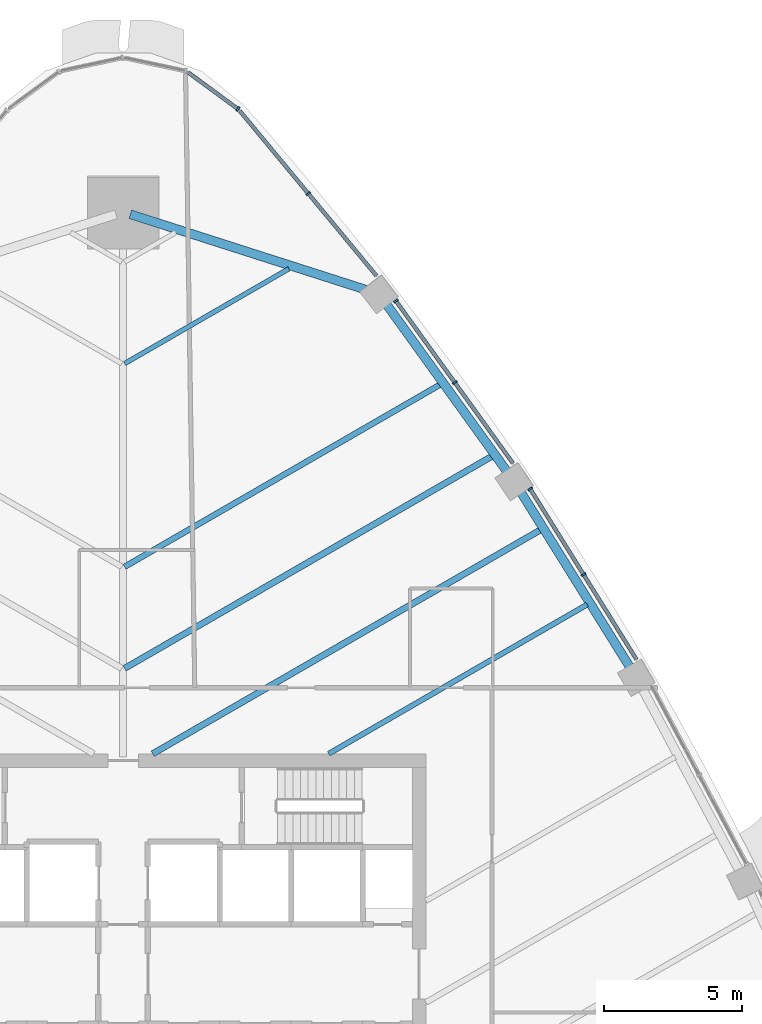
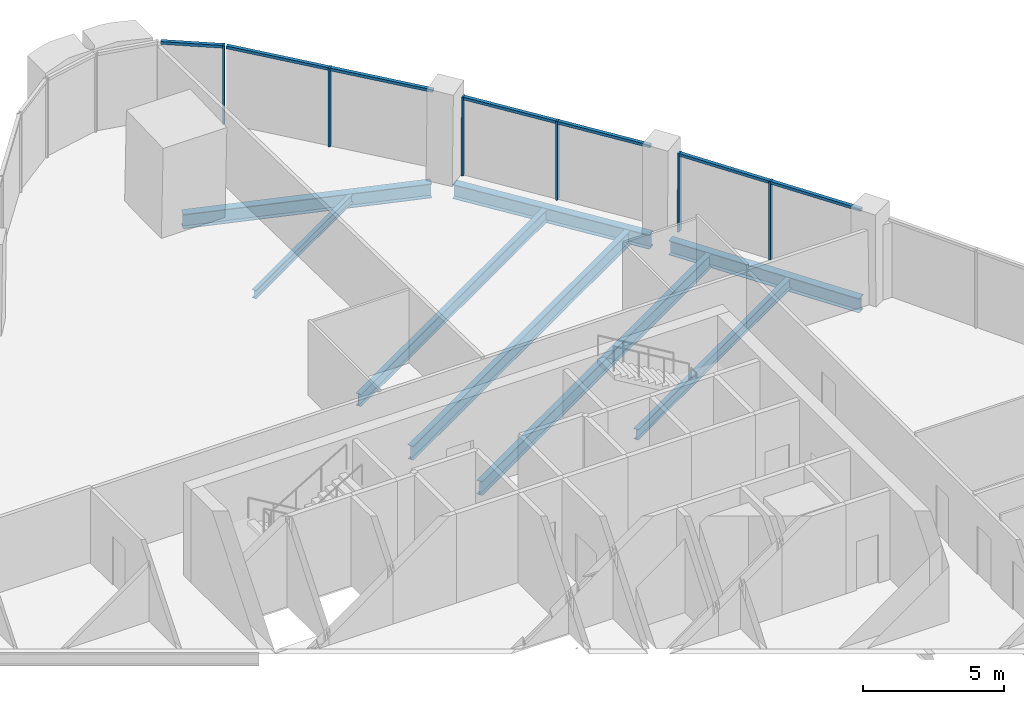
# One storey, part 7 of 16: 13 members, 8 beams, 4 elements without a shape of their own.
"""IFC4 building model written with IfcOpenShell, lengths in metres."""

from ifc_helpers import new_model, si_unit, direction, frame, origin, origin_2d, place, context, subcontext, project, spatial, rectangle, i_section, extrude, material, layer, layer_set, material_profile, profile_set, type_object, element, aggregate, save


model = new_model("IFC4")

# Units and contexts
model_context = context("Model", 3, precision=1e-05, world=origin(), true_north=direction((0.0, 1.0)))
body_context = subcontext(model_context, "Body", "Model", "MODEL_VIEW")
ifc_project = project(units=[si_unit("LENGTHUNIT", "METRE"), si_unit("AREAUNIT", "SQUARE_METRE"), si_unit("VOLUMEUNIT", "CUBIC_METRE"), si_unit("PLANEANGLEUNIT", "RADIAN"), si_unit("MASSUNIT", "GRAM", prefix="KILO")], contexts=[model_context])

# Site, building, storey
site_placement = place(None, origin())
site = spatial("IfcSite", under=ifc_project, at=site_placement, CompositionType="ELEMENT")
building_placement = place(site_placement, origin())
building = spatial("IfcBuilding", under=site, at=building_placement, Name="Sierra Prisma Convention Tower", CompositionType="ELEMENT")
storey_placement = place(building_placement, frame((0.0, 0.0, 165.800048828125)))
storey = spatial("IfcBuildingStorey", under=building, at=storey_placement, Name="L36", CompositionType="ELEMENT", Elevation=165.800048828125)

# Curtain wall, members
ifc_material_1 = material(Name="Aluminium and glass curtain wall", Category="aluminium")
ifc_layer = layer(ifc_material_1, 0.179931640625)
ifc_layer_set = layer_set([ifc_layer], Name="CW-1 Plain shaft curtain wall")
curtain_wall_type = type_object("IfcCurtainWallType", Name="CW-1 Plain shaft curtain wall", PredefinedType="NOTDEFINED", material=ifc_layer_set)
curtain_wall_1_placement = place(storey_placement, origin())
curtain_wall_1 = element("IfcCurtainWall", 1, at=curtain_wall_1_placement, inside=storey, type_object=curtain_wall_type, Name="CW-1 NE4 L36", PredefinedType="NOTDEFINED")
ifc_material_2 = material(Name="Aluminium 6063-T6 bronze anodised", Category="aluminium")
ifc_material_profile_1 = material_profile(ifc_material_2, rectangle(XDim=0.179931640625, YDim=0.070068359375, at=origin_2d()), Name="ALU MULLION 70x180")
ifc_profile_set_1 = profile_set([ifc_material_profile_1], Name="Aluminium 6063-T6 bronze anodised")
member_type_1 = type_object("IfcMemberType", Name="CW mullion bronze", PredefinedType="MULLION", material=ifc_profile_set_1)
member_1_placement = place(storey_placement, frame((16.7236328125, 14.5078125, 0.0), z_axis=(0.0, 0.0, 1.0), x_axis=(-0.848689772676, -0.528890980973, 0.0)))
member_1 = element("IfcMember", 2, at=member_1_placement, type_object=member_type_1, Name="CW-1 mullion NE4.2", PredefinedType="MULLION", context=body_context, shape_type="SweptSolid", body=[
    extrude(rectangle(XDim=0.179931640625, YDim=0.070068359375, at=origin_2d()), origin(), (0.0, 0.0, 1.0), 3.39990234375),
])
member_2_placement = place(storey_placement, frame((14.78271484375, 17.6220703125, 0.0), z_axis=(0.0, 0.0, 1.0), x_axis=(-0.848689772676, -0.528890980973, 0.0)))
member_2 = element("IfcMember", 3, at=member_2_placement, type_object=member_type_1, Name="CW-1 mullion NE4.3", PredefinedType="MULLION", context=body_context, shape_type="SweptSolid", body=[
    extrude(rectangle(XDim=0.179931640625, YDim=0.070068359375, at=origin_2d()), origin(), (0.0, 0.0, 1.0), 3.39990234375),
])

curtain_wall_2_placement = place(storey_placement, origin())
curtain_wall_2 = element("IfcCurtainWall", 4, at=curtain_wall_2_placement, inside=storey, type_object=curtain_wall_type, Name="CW-1 NE5 L36", PredefinedType="NOTDEFINED")
member_3_placement = place(storey_placement, frame((12.043212890625, 21.484619140625, 0.0), z_axis=(0.0, 0.0, 1.0), x_axis=(-0.811148953093, -0.584839615532, 0.0)))
member_3 = element("IfcMember", 5, at=member_3_placement, type_object=member_type_1, Name="CW-1 mullion NE5.2", PredefinedType="MULLION", context=body_context, shape_type="SweptSolid", body=[
    extrude(rectangle(XDim=0.179931640625, YDim=0.070068359375, at=origin_2d()), origin(), (0.0, 0.0, 1.0), 3.39990234375),
])
member_4_placement = place(storey_placement, frame((9.906005859375, 24.44873046875, 0.0), z_axis=(0.0, 0.0, 1.0), x_axis=(-0.811148953093, -0.584839615532, 0.0)))
member_4 = element("IfcMember", 6, at=member_4_placement, type_object=member_type_1, Name="CW-1 mullion NE5.3", PredefinedType="MULLION", context=body_context, shape_type="SweptSolid", body=[
    extrude(rectangle(XDim=0.179931640625, YDim=0.070068359375, at=origin_2d()), origin(), (0.0, 0.0, 1.0), 3.39990234375),
])

# Curtain wall, member
curtain_wall_3_placement = place(storey_placement, origin())
curtain_wall_3 = element("IfcCurtainWall", 7, at=curtain_wall_3_placement, inside=storey, type_object=curtain_wall_type, Name="CW-1 NE6 L36", PredefinedType="NOTDEFINED")
member_5_placement = place(storey_placement, frame((6.7216796875, 28.35205078125, 0.0), z_axis=(0.0, 0.0, 1.0), x_axis=(-0.769925871873, -0.63813333389, 0.0)))
member_5 = element("IfcMember", 8, at=member_5_placement, type_object=member_type_1, Name="CW-1 mullion NE6.2", PredefinedType="MULLION", context=body_context, shape_type="SweptSolid", body=[
    extrude(rectangle(XDim=0.179931640625, YDim=0.070068359375, at=origin_2d()), origin(), (0.0, 0.0, 1.0), 3.39990234375),
])

curtain_wall_4_placement = place(storey_placement, origin())
curtain_wall_4 = element("IfcCurtainWall", 9, at=curtain_wall_4_placement, inside=storey, type_object=curtain_wall_type, Name="CW-1 N1 L36", PredefinedType="NOTDEFINED")
member_6_placement = place(storey_placement, frame((4.165771484375, 31.42236328125, 0.0), z_axis=(0.0, 0.0, 1.0), x_axis=(-0.59218912334, -0.805799008561, 0.0)))
member_6 = element("IfcMember", 10, at=member_6_placement, type_object=member_type_1, Name="CW-1 mullion N1.1", PredefinedType="MULLION", context=body_context, shape_type="SweptSolid", body=[
    extrude(rectangle(XDim=0.179931640625, YDim=0.070068359375, at=origin_2d()), origin(), (0.0, 0.0, 1.0), 3.39990234375),
])

# Member
ifc_material_3 = material(Name="Aluminium 6063-T6 bronze anodised", Category="aluminium")
ifc_material_profile_2 = material_profile(ifc_material_3, rectangle(XDim=0.139892578125, YDim=0.1201171875, at=origin_2d()), Name="ALU TRANSOM 120x140")
ifc_profile_set_2 = profile_set([ifc_material_profile_2], Name="Aluminium 6063-T6 bronze anodised")
member_type_2 = type_object("IfcMemberType", Name="CW transom bronze", PredefinedType="USERDEFINED", material=ifc_profile_set_2)
member_7_placement = place(storey_placement, frame((18.64599609375, 11.423095703125, 3.33984375), z_axis=(-0.52889501044, 0.848687261559, 0.0), x_axis=(-0.848687261559, -0.52889501044, 0.0)))
member_7 = element("IfcMember", 11, at=member_7_placement, type_object=member_type_2, Name="CW-1 transom NE4.1", ObjectType="TRANSOM", PredefinedType="USERDEFINED", context=body_context, shape_type="SweptSolid", body=[
    extrude(rectangle(XDim=0.139892578125, YDim=0.1201171875, at=origin_2d()), origin(), (0.0, 0.0, 1.0), 3.599609375),
])

member_8_placement = place(storey_placement, frame((16.705078125, 14.537353515625, 3.33984375), z_axis=(-0.52889501044, 0.848687261559, 0.0), x_axis=(-0.848687261559, -0.52889501044, 0.0)))
member_8 = element("IfcMember", 12, at=member_8_placement, type_object=member_type_2, Name="CW-1 transom NE4.2", ObjectType="TRANSOM", PredefinedType="USERDEFINED", context=body_context, shape_type="SweptSolid", body=[
    extrude(rectangle(XDim=0.139892578125, YDim=0.1201171875, at=origin_2d()), origin(), (0.0, 0.0, 1.0), 3.599609375),
])

aggregate(curtain_wall_1, [member_1, member_2, member_7, member_8])

member_9_placement = place(storey_placement, frame((14.159912109375, 18.548828125, 3.33984375), z_axis=(-0.584821378982, 0.811162101362, 0.0), x_axis=(-0.811162101362, -0.584821378982, 0.0)))
member_9 = element("IfcMember", 13, at=member_9_placement, type_object=member_type_2, Name="CW-1 transom NE5.1", ObjectType="TRANSOM", PredefinedType="USERDEFINED", context=body_context, shape_type="SweptSolid", body=[
    extrude(rectangle(XDim=0.139892578125, YDim=0.1201171875, at=origin_2d()), origin(), (0.0, 0.0, 1.0), 3.584228515625),
])

member_10_placement = place(storey_placement, frame((12.022705078125, 21.512939453125, 3.33984375), z_axis=(-0.584821378982, 0.811162101362, 0.0), x_axis=(-0.811162101362, -0.584821378982, 0.0)))
member_10 = element("IfcMember", 14, at=member_10_placement, type_object=member_type_2, Name="CW-1 transom NE5.2", ObjectType="TRANSOM", PredefinedType="USERDEFINED", context=body_context, shape_type="SweptSolid", body=[
    extrude(rectangle(XDim=0.139892578125, YDim=0.1201171875, at=origin_2d()), origin(), (0.0, 0.0, 1.0), 3.584228515625),
])

aggregate(curtain_wall_2, [member_3, member_4, member_9, member_10])

member_11_placement = place(storey_placement, frame((9.204345703125, 25.3564453125, 3.33984375), z_axis=(-0.638114399099, 0.769941565096, 0.0), x_axis=(-0.769941565096, -0.638114399099, 0.0)))
member_11 = element("IfcMember", 15, at=member_11_placement, type_object=member_type_2, Name="CW-1 transom NE6.1", ObjectType="TRANSOM", PredefinedType="USERDEFINED", context=body_context, shape_type="SweptSolid", body=[
    extrude(rectangle(XDim=0.139892578125, YDim=0.1201171875, at=origin_2d()), origin(), (0.0, 0.0, 1.0), 3.855712890625),
])

member_12_placement = place(storey_placement, frame((6.69921875, 28.37890625, 3.33984375), z_axis=(-0.638114399099, 0.769941565096, 0.0), x_axis=(-0.769941565096, -0.638114399099, 0.0)))
member_12 = element("IfcMember", 16, at=member_12_placement, type_object=member_type_2, Name="CW-1 transom NE6.2", ObjectType="TRANSOM", PredefinedType="USERDEFINED", context=body_context, shape_type="SweptSolid", body=[
    extrude(rectangle(XDim=0.139892578125, YDim=0.1201171875, at=origin_2d()), origin(), (0.0, 0.0, 1.0), 3.855712890625),
])

aggregate(curtain_wall_3, [member_5, member_11, member_12])

member_13_placement = place(storey_placement, frame((4.1376953125, 31.44287109375, 3.33984375), z_axis=(-0.805751723696, 0.592253459053, 0.0), x_axis=(-0.592253459053, -0.805751723696, 0.0)))
member_13 = element("IfcMember", 17, at=member_13_placement, type_object=member_type_2, Name="CW-1 transom N1.1", ObjectType="TRANSOM", PredefinedType="USERDEFINED", context=body_context, shape_type="SweptSolid", body=[
    extrude(rectangle(XDim=0.139892578125, YDim=0.1201171875, at=origin_2d()), origin(), (0.0, 0.0, 1.0), 2.211669921875),
])

aggregate(curtain_wall_4, [member_6, member_13])

# Beams
ifc_material_4 = material(Name="Steel ASTM A992 Gr 50", Category="steel")
ifc_material_profile_3 = material_profile(ifc_material_4, i_section(OverallWidth=0.172119140625, OverallDepth=0.35791015625, WebThickness=0.0078125, FlangeThickness=0.01318359375, at=origin_2d()), Name="W360x57")
ifc_profile_set_3 = profile_set([ifc_material_profile_3], Name="Steel ASTM A992 Gr 50")
beam_type_1 = type_object("IfcBeamType", Name="Floor joist W360x57", PredefinedType="JOIST", material=ifc_profile_set_3)
beam_1_placement = place(storey_placement, frame((6.02001953125, 25.61962890625, -0.3291015625), z_axis=(-0.86602868724, -0.499994312846, 0.0), x_axis=(0.499994312846, -0.86602868724, 0.0)))
element("IfcBeam", 18, at=beam_1_placement, inside=storey, type_object=beam_type_1, Name="Floor joist L36 NE14", PredefinedType="JOIST", context=body_context, shape_type="SweptSolid", body=[
    extrude(i_section(OverallWidth=0.172119140625, OverallDepth=0.35791015625, WebThickness=0.0078125, FlangeThickness=0.01318359375, at=origin_2d()), origin(), (0.0, 0.0, 1.0), 6.892578125),
])
ifc_material_5 = material(Name="Steel ASTM A992 Gr 50", Category="steel")
ifc_material_profile_4 = material_profile(ifc_material_5, i_section(OverallWidth=0.18994140625, OverallDepth=0.45703125, WebThickness=0.009033203125, FlangeThickness=0.014404296875, at=origin_2d()), Name="W460x74")
ifc_profile_set_4 = profile_set([ifc_material_profile_4], Name="Steel ASTM A992 Gr 50")
beam_type_2 = type_object("IfcBeamType", Name="Floor joist W460x74", PredefinedType="JOIST", material=ifc_profile_set_4)
beam_2_placement = place(storey_placement, frame((16.85546875, 13.422119140625, -0.378662109375), z_axis=(-0.866030376948, -0.49999138613, 0.0), x_axis=(0.49999138613, -0.866030376948, 0.0)))
element("IfcBeam", 19, at=beam_2_placement, inside=storey, type_object=beam_type_2, Name="Floor joist L36 NE09", PredefinedType="JOIST", context=body_context, shape_type="SweptSolid", body=[
    extrude(i_section(OverallWidth=0.18994140625, OverallDepth=0.45703125, WebThickness=0.009033203125, FlangeThickness=0.014404296875, at=origin_2d()), origin(), (0.0, 0.0, 1.0), 10.844482421875),
])
ifc_material_6 = material(Name="Steel ASTM A992 Gr 50", Category="steel")
ifc_material_profile_5 = material_profile(ifc_material_6, i_section(OverallWidth=0.208984375, OverallDepth=0.532958984375, WebThickness=0.01025390625, FlangeThickness=0.015625, at=origin_2d()), Name="W530x92")
ifc_profile_set_5 = profile_set([ifc_material_profile_5], Name="Steel ASTM A992 Gr 50")
beam_type_3 = type_object("IfcBeamType", Name="Floor joist W530x92", PredefinedType="JOIST", material=ifc_profile_set_5)
beam_3_placement = place(storey_placement, frame((11.52294921875, 21.41552734375, -0.41650390625), z_axis=(-0.866022923061, -0.500004296715, 0.0), x_axis=(0.500004296715, -0.866022923061, 0.0)))
element("IfcBeam", 20, at=beam_3_placement, inside=storey, type_object=beam_type_3, Name="Floor joist L36 NE12", PredefinedType="JOIST", context=body_context, shape_type="SweptSolid", body=[
    extrude(i_section(OverallWidth=0.208984375, OverallDepth=0.532958984375, WebThickness=0.01025390625, FlangeThickness=0.015625, at=origin_2d()), origin(), (0.0, 0.0, 1.0), 13.2470703125),
])
ifc_material_7 = material(Name="Steel ASTM A992 Gr 50", Category="steel")
ifc_material_profile_6 = material_profile(ifc_material_7, i_section(OverallWidth=0.22802734375, OverallDepth=0.60302734375, WebThickness=0.010498046875, FlangeThickness=0.014892578125, at=origin_2d()), Name="W610x101")
ifc_profile_set_6 = profile_set([ifc_material_profile_6], Name="Steel ASTM A992 Gr 50")
beam_type_4 = type_object("IfcBeamType", Name="Floor joist W610x101", PredefinedType="JOIST", material=ifc_profile_set_6)
beam_4_placement = place(storey_placement, frame((15.1640625, 16.13623046875, -0.45166015625), z_axis=(-0.866027934759, -0.499995616198, 0.0), x_axis=(0.499995616198, -0.866027934759, 0.0)))
element("IfcBeam", 21, at=beam_4_placement, inside=storey, type_object=beam_type_4, Name="Floor joist L36 NE10", PredefinedType="JOIST", context=body_context, shape_type="SweptSolid", body=[
    extrude(i_section(OverallWidth=0.22802734375, OverallDepth=0.60302734375, WebThickness=0.010498046875, FlangeThickness=0.014892578125, at=origin_2d()), origin(), (0.0, 0.0, 1.0), 16.272705078125),
])
beam_5_placement = place(storey_placement, frame((13.40185546875, 18.8095703125, -0.45166015625), z_axis=(-0.866025244838, -0.500000275304, 0.0), x_axis=(0.500000275304, -0.866025244838, 0.0)))
element("IfcBeam", 22, at=beam_5_placement, inside=storey, type_object=beam_type_4, Name="Floor joist L36 NE11", PredefinedType="JOIST", context=body_context, shape_type="SweptSolid", body=[
    extrude(i_section(OverallWidth=0.22802734375, OverallDepth=0.60302734375, WebThickness=0.010498046875, FlangeThickness=0.014892578125, at=origin_2d()), origin(), (0.0, 0.0, 1.0), 15.41650390625),
])
ifc_material_8 = material(Name="Steel ASTM A992 Gr 50", Category="steel")
ifc_material_profile_7 = material_profile(ifc_material_8, i_section(OverallWidth=0.324951171875, OverallDepth=0.615966796875, WebThickness=0.013916015625, FlangeThickness=0.021484375, at=origin_2d()), Name="W610x174")
ifc_profile_set_7 = profile_set([ifc_material_profile_7], Name="Steel ASTM A992 Gr 50")
beam_type_5 = type_object("IfcBeamType", Name="Spandrel beam W610x174", PredefinedType="BEAM", material=ifc_profile_set_7)
beam_6_placement = place(storey_placement, frame((18.443115234375, 11.087158203125, -0.4580078125), z_axis=(-0.528892219051, 0.848689001123, 0.0), x_axis=(-0.848689001123, -0.528892219051, 0.0)))
element("IfcBeam", 23, at=beam_6_placement, inside=storey, type_object=beam_type_5, Name="Spandrel L36-10", PredefinedType="BEAM", context=body_context, shape_type="SweptSolid", body=[
    extrude(i_section(OverallWidth=0.324951171875, OverallDepth=0.615966796875, WebThickness=0.013916015625, FlangeThickness=0.021484375, at=origin_2d()), origin(), (0.0, 0.0, 1.0), 7.63720703125),
])
beam_7_placement = place(storey_placement, frame((13.980224609375, 18.199951171875, -0.4580078125), z_axis=(-0.584830925209, 0.811155218758, 0.0), x_axis=(-0.811155218758, -0.584830925209, 0.0)))
element("IfcBeam", 24, at=beam_7_placement, inside=storey, type_object=beam_type_5, Name="Spandrel L36-11", PredefinedType="BEAM", context=body_context, shape_type="SweptSolid", body=[
    extrude(i_section(OverallWidth=0.324951171875, OverallDepth=0.615966796875, WebThickness=0.013916015625, FlangeThickness=0.021484375, at=origin_2d()), origin(), (0.0, 0.0, 1.0), 7.637451171875),
])
beam_8_placement = place(storey_placement, frame((8.82763671875, 24.85205078125, -0.4580078125), z_axis=(-0.952327681543, 0.305077018092, 0.0), x_axis=(-0.305077018092, -0.952327681543, 0.0)))
element("IfcBeam", 25, at=beam_8_placement, inside=storey, type_object=beam_type_5, Name="Spandrel L36-12", PredefinedType="BEAM", context=body_context, shape_type="SweptSolid", body=[
    extrude(i_section(OverallWidth=0.324951171875, OverallDepth=0.615966796875, WebThickness=0.013916015625, FlangeThickness=0.021484375, at=origin_2d()), origin(), (0.0, 0.0, 1.0), 8.99658203125),
])

save(model, "model.ifc")
